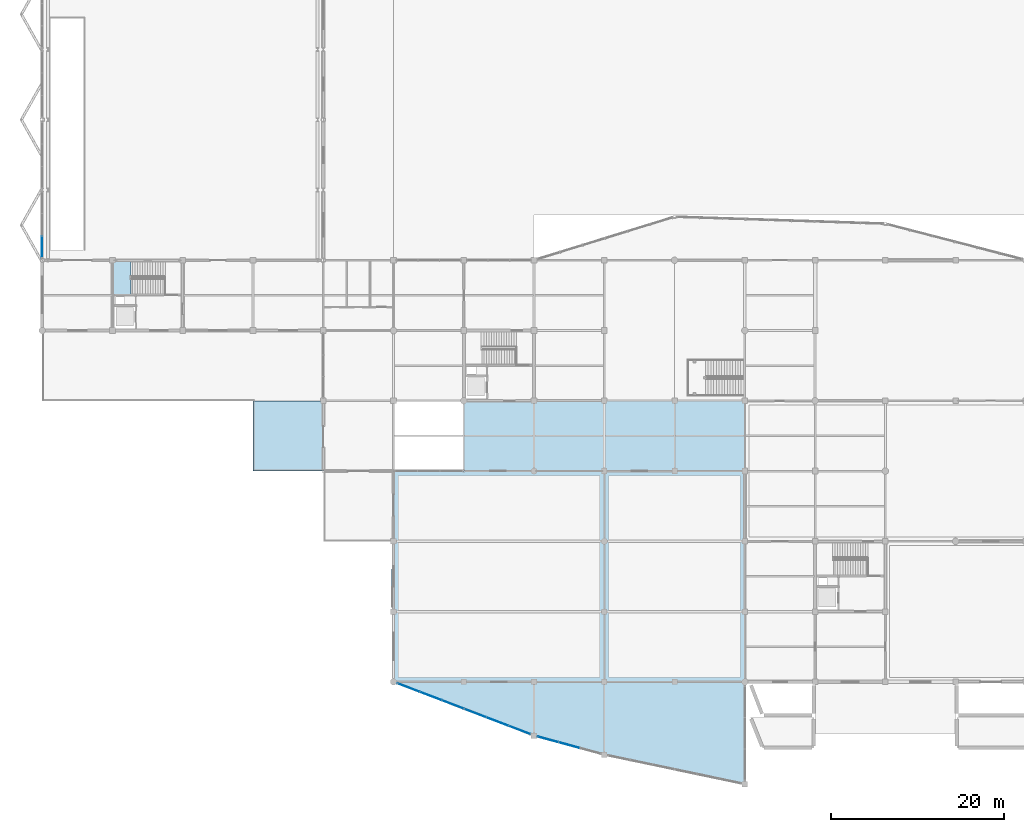
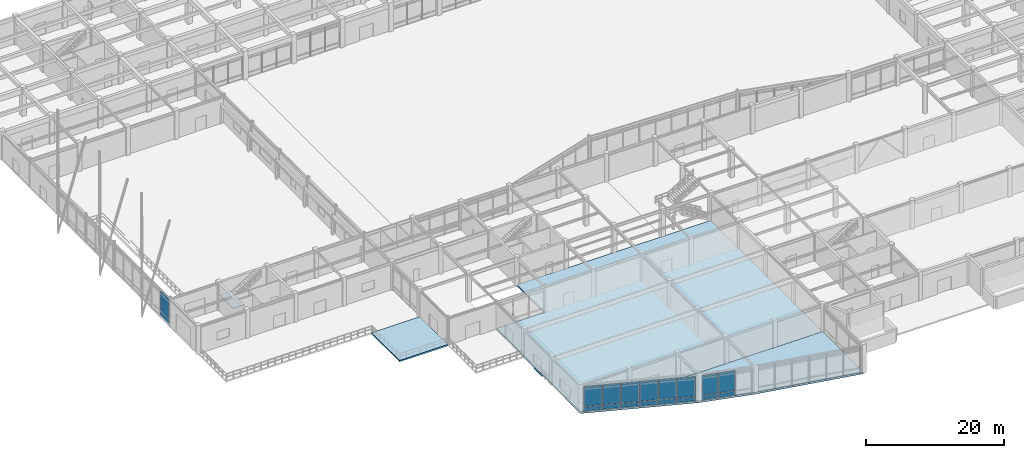
# One storey, part 49 of 99: 18 plates, 5 slabs, 5 elements without a shape of their own.
"""IFC4 building model written with IfcOpenShell, lengths in metres."""

import ifcopenshell
import ifcopenshell.guid

model = None  # the IFC model being written
_history = None  # IfcOwnerHistory: only IFC2X3 demands one
_inside = {}  # id of a spatial element -> (the spatial element, [elements in it])
_under = {}  # id of a project, library or spatial element -> (it, [spatial elements below it])
_declared = {}  # id of a project -> (the project, [libraries it declares])
_typed = {}  # id of a type object -> (the type object, [elements of that type])
_made_of = {}  # id of a material, layer set ... -> (it, [elements and type objects made of it])


def new_model(schema):
    """Start an empty IFC model of exactly this schema.

    Asked for "IFC4X3", IfcOpenShell would pick the latest addendum, in which some entities
    have other attributes; the version numbers below select the first issue.
    IFC2X3 requires an IfcOwnerHistory on every rooted entity: one is made here for all.
    """
    global model, _history
    if schema == "IFC4X3":
        model = ifcopenshell.file(schema_version=(4, 3, 0, 0))
    else:
        model = ifcopenshell.file(schema=schema)
    _inside.clear()
    _under.clear()
    _declared.clear()
    _typed.clear()
    _made_of.clear()
    _history = None
    if model.schema == "IFC2X3":
        org = make("IfcOrganization", Name="unknown")
        user = make(
            "IfcPersonAndOrganization",
            ThePerson=make("IfcPerson", FamilyName="unknown"),
            TheOrganization=org,
        )
        app = make(
            "IfcApplication",
            ApplicationDeveloper=org,
            Version="unknown",
            ApplicationFullName="unknown",
            ApplicationIdentifier="unknown",
        )
        _history = make(
            "IfcOwnerHistory",
            OwningUser=user,
            OwningApplication=app,
            ChangeAction="ADDED",
            CreationDate=0,
        )
    return model


def make(cls, **values):
    """One entity of the class cls with the attributes given. An attribute that is None is left unset."""
    return model.create_entity(
        cls, **{name: value for name, value in values.items() if value is not None}
    )


def rooted(cls, **values):
    """An entity with a GlobalId (a new one), such as an element, a storey or a relation."""
    return make(cls, GlobalId=ifcopenshell.guid.new(), OwnerHistory=_history, **values)


def si_unit(unit_type, name, prefix=None):
    """IfcSIUnit, for example si_unit("LENGTHUNIT", "METRE", prefix="MILLI")."""
    return make("IfcSIUnit", UnitType=unit_type, Prefix=prefix, Name=name)


def assignment(units):
    """IfcUnitAssignment: the units of a project."""
    return None if units is None else make("IfcUnitAssignment", Units=units)


def point(xyz):
    """IfcCartesianPoint."""
    return None if xyz is None else make("IfcCartesianPoint", Coordinates=xyz)


def direction(xyz):
    """IfcDirection."""
    return None if xyz is None else make("IfcDirection", DirectionRatios=xyz)


def frame(location, z_axis=None, x_axis=None):
    """IfcAxis2Placement3D, a coordinate frame: its origin and axes. An axis left out is left unset."""
    return make(
        "IfcAxis2Placement3D",
        Location=point(location),
        Axis=direction(z_axis),
        RefDirection=direction(x_axis),
    )


def frame_2d(location, x_axis=None):
    """IfcAxis2Placement2D, a coordinate frame in the plane: its origin and x axis."""
    return make(
        "IfcAxis2Placement2D", Location=point(location), RefDirection=direction(x_axis)
    )


def origin():
    """The frame at (0, 0, 0) with its axes left unset."""
    return frame((0.0, 0.0, 0.0))


def origin_2d():
    """The frame at (0, 0) in the plane with its x axis left unset."""
    return frame_2d((0.0, 0.0))


def place(relative_to, where):
    """IfcLocalPlacement: puts the frame where relative to a parent placement (None: the world)."""
    return make(
        "IfcLocalPlacement", PlacementRelTo=relative_to, RelativePlacement=where
    )


def context(
    kind, dimensions, precision=None, world=None, true_north=None, identifier=None
):
    """IfcGeometricRepresentationContext, for example the 3D "Model" context."""
    return make(
        "IfcGeometricRepresentationContext",
        ContextIdentifier=identifier,
        ContextType=kind,
        CoordinateSpaceDimension=dimensions,
        Precision=precision,
        WorldCoordinateSystem=world,
        TrueNorth=true_north,
    )


def subcontext(parent, identifier, kind, view, scale=None):
    """IfcGeometricRepresentationSubContext, for example "Body" below "Model"."""
    return make(
        "IfcGeometricRepresentationSubContext",
        ContextIdentifier=identifier,
        ContextType=kind,
        ParentContext=parent,
        TargetScale=scale,
        TargetView=view,
    )


def project(units=None, contexts=None):
    """IfcProject with its units and contexts."""
    return rooted(
        "IfcProject",
        Name="project",
        RepresentationContexts=contexts,
        UnitsInContext=assignment(units),
    )


def spatial(cls, under=None, at=None, **own):
    """A site, building, storey or space (cls), placed at a placement, below another one or the project."""
    s = rooted(cls, ObjectPlacement=at, **own)
    if under is not None:
        _under.setdefault(under.id(), (under, []))[1].append(s)
    return s


def polyline(points):
    """IfcPolyline through the points."""
    return make("IfcPolyline", Points=[point(p) for p in points])


def profile(cls, at=None, kind="AREA", **sizes):
    """A parametric profile (cls). Its sizes go by their IFC names, for example OverallWidth=200.0."""
    return make(cls, ProfileType=kind, Position=at, **sizes)


def rectangle(**sizes):
    """IfcRectangleProfileDef."""
    return profile("IfcRectangleProfileDef", **sizes)


def outline(outer, holes=None, kind="AREA"):
    """IfcArbitraryClosedProfileDef: a profile drawn as a closed curve; with holes, ...WithVoids."""
    if holes is None:
        return make("IfcArbitraryClosedProfileDef", ProfileType=kind, OuterCurve=outer)
    return make(
        "IfcArbitraryProfileDefWithVoids",
        ProfileType=kind,
        OuterCurve=outer,
        InnerCurves=holes,
    )


def extrude(swept, where, along, depth):
    """IfcExtrudedAreaSolid: the profile swept, set in the frame where, extruded along a direction by depth."""
    return make(
        "IfcExtrudedAreaSolid",
        SweptArea=swept,
        Position=where,
        ExtrudedDirection=direction(along),
        Depth=depth,
    )


def shape(context_of_items, identifier, shape_type, items):
    """IfcShapeRepresentation: the items that make up one representation, for example the "Body"."""
    return make(
        "IfcShapeRepresentation",
        ContextOfItems=context_of_items,
        RepresentationIdentifier=identifier,
        RepresentationType=shape_type,
        Items=items,
    )


def material(Name=None, Category=None):
    """IfcMaterial."""
    return make("IfcMaterial", Name=Name, Category=Category)


def layer(
    of_material, thickness, ventilated=None, Name=None, Category=None, Priority=None
):
    """IfcMaterialLayer: one layer of a wall or slab, of a material (None: an air gap)."""
    return make(
        "IfcMaterialLayer",
        Material=of_material,
        LayerThickness=thickness,
        IsVentilated=ventilated,
        Name=Name,
        Category=Category,
        Priority=Priority,
    )


def layer_set(layers, Name=None):
    """IfcMaterialLayerSet."""
    return make("IfcMaterialLayerSet", MaterialLayers=layers, LayerSetName=Name)


def made_of(thing, what):
    """Note that an element or type object is made of a material, layer set ...; save() writes the relation."""
    if what is not None:
        _made_of.setdefault(what.id(), (what, []))[1].append(thing)
    return thing


def type_object(cls, material=None, **own):
    """A type object (cls), such as IfcWallType, which elements share."""
    return made_of(rooted(cls, **own), material)


def element(
    cls,
    number,
    at=None,
    inside=None,
    cuts=None,
    type_object=None,
    material=None,
    context=None,
    identifier="Body",
    shape_type=None,
    held_by="IfcProductDefinitionShape",
    body=None,
    shapes=None,
    **own,
):
    """One element of the class cls, such as IfcWall. Its Tag is "e" and its number.

    at: its placement. inside: the storey or other place that contains it. cuts: it is an
    opening in that element (IfcRelVoidsElement). A single representation is given by context,
    identifier, shape_type and body (its items); several are given by shapes. held_by: the class
    of the entity that holds the representations. save() writes the other relations.
    """
    e = rooted(cls, Tag="e%d" % number, ObjectPlacement=at, **own)
    if body is not None:
        shapes = [shape(context, identifier, shape_type, body)]
    if shapes is not None:
        e.Representation = make(held_by, Representations=shapes)
    if inside is not None:
        _inside.setdefault(inside.id(), (inside, []))[1].append(e)
    if cuts is not None:
        rooted(
            "IfcRelVoidsElement", RelatingBuildingElement=cuts, RelatedOpeningElement=e
        )
    if type_object is not None:
        _typed.setdefault(type_object.id(), (type_object, []))[1].append(e)
    return made_of(e, material)


def aggregate(whole, parts):
    """IfcRelAggregates: a whole, such as a stair, and the parts it consists of."""
    return rooted("IfcRelAggregates", RelatingObject=whole, RelatedObjects=parts)


def save(model, path):
    """Write the relations noted so far, then the file.

    IfcRelAggregates (storeys below a building ...), IfcRelContainedInSpatialStructure (elements
    in a storey), IfcRelDefinesByType, IfcRelAssociatesMaterial and IfcRelDeclares: one each for
    every whole, place, type object, material and project.
    """
    for whole, parts in _under.values():
        aggregate(whole, parts)
    for where, things in _inside.values():
        rooted(
            "IfcRelContainedInSpatialStructure",
            RelatedElements=things,
            RelatingStructure=where,
        )
    for kind, things in _typed.values():
        rooted("IfcRelDefinesByType", RelatedObjects=things, RelatingType=kind)
    for what, things in _made_of.values():
        rooted("IfcRelAssociatesMaterial", RelatedObjects=things, RelatingMaterial=what)
    for by, libraries in _declared.values():
        rooted("IfcRelDeclares", RelatingContext=by, RelatedDefinitions=libraries)
    model.write(path)


model = new_model("IFC4")

# Units and contexts
model_context = context("Model", 3, precision=1e-05, world=origin(), true_north=direction((0.0, 1.0)))
body_context = subcontext(model_context, "Body", "Model", "MODEL_VIEW")
ifc_project = project(units=[si_unit("LENGTHUNIT", "METRE"), si_unit("AREAUNIT", "SQUARE_METRE"), si_unit("VOLUMEUNIT", "CUBIC_METRE"), si_unit("PLANEANGLEUNIT", "RADIAN"), si_unit("MASSUNIT", "GRAM", prefix="KILO")], contexts=[model_context])

# Site, building, storey
site_placement = place(None, origin())
site = spatial("IfcSite", under=ifc_project, at=site_placement, CompositionType="ELEMENT")
building_placement = place(site_placement, origin())
building = spatial("IfcBuilding", under=site, at=building_placement, Name="Vaudrelin Polytechnic", CompositionType="ELEMENT")
storey_placement = place(building_placement, origin())
storey = spatial("IfcBuildingStorey", under=building, at=storey_placement, Name="L00", CompositionType="ELEMENT", Elevation=0.0)

# Curtain wall, plate
ifc_material_1 = material(Name="Thermally broken anodised aluminium AA 6063-T6 and low-e triple glazing", Category="aluminium")
ifc_layer_1 = layer(ifc_material_1, 0.199951171875)
ifc_layer_set_1 = layer_set([ifc_layer_1], Name="Thermally broken anodised aluminium AA 6063-T6 and low-e triple glazing")
curtain_wall_type_1 = type_object("IfcCurtainWallType", Name="CW-CW-POR", PredefinedType="USERDEFINED", material=ifc_layer_set_1)
curtain_wall_1_placement = place(storey_placement, origin())
curtain_wall_1 = element("IfcCurtainWall", 1, at=curtain_wall_1_placement, inside=storey, type_object=curtain_wall_type_1, Name="Curtain wall L00 W_V1_01", ObjectType="CURTAIN WALL", PredefinedType="USERDEFINED")
ifc_material_2 = material(Name="Insulated ceramic-frit spandrel glass panel", Category="glass")
ifc_layer_2 = layer(ifc_material_2, 0.052001953125)
ifc_layer_set_2 = layer_set([ifc_layer_2], Name="Insulated ceramic-frit spandrel glass panel")
plate_type_1 = type_object("IfcPlateType", Name="PLT-GLZ-SPAND", PredefinedType="CURTAIN_PANEL", material=ifc_layer_set_2)
plate_1_placement = place(storey_placement, frame((0.0, 50.130859375, 0.08984375), z_axis=(0.0, 0.0, 1.0), x_axis=(0.0, 1.0, 0.0)))
plate_1 = element("IfcPlate", 2, at=plate_1_placement, type_object=plate_type_1, Name="W_V1_01 spandrel panel 1", PredefinedType="CURTAIN_PANEL", context=body_context, shape_type="SweptSolid", body=[
    extrude(rectangle(XDim=2.457763671875, YDim=0.052001953125, at=origin_2d()), origin(), (0.0, 0.0, 1.0), 0.699951171875),
])

# Curtain wall, plates
ifc_layer_3 = layer(ifc_material_1, 0.199951171875)
ifc_layer_set_3 = layer_set([ifc_layer_3], Name="Thermally broken anodised aluminium AA 6063-T6 and low-e triple glazing")
curtain_wall_type_2 = type_object("IfcCurtainWallType", Name="CW-CW-WG", PredefinedType="USERDEFINED", material=ifc_layer_set_3)
curtain_wall_2_placement = place(storey_placement, origin())
curtain_wall_2 = element("IfcCurtainWall", 3, at=curtain_wall_2_placement, inside=storey, type_object=curtain_wall_type_2, Name="Curtain wall L00 V2P_1_0", ObjectType="CURTAIN WALL", PredefinedType="USERDEFINED")
plate_2_placement = place(storey_placement, frame((42.23291015625, -0.6630859375, 0.08984375), z_axis=(0.0, 0.0, 1.0), x_axis=(0.933937106876, -0.35743737969, 0.0)))
plate_2 = element("IfcPlate", 4, at=plate_2_placement, type_object=plate_type_1, Name="V2P_1_0 spandrel panel 1", PredefinedType="CURTAIN_PANEL", context=body_context, shape_type="SweptSolid", body=[
    extrude(rectangle(XDim=2.6376953125, YDim=0.052001953125, at=origin_2d()), origin(), (0.0, 0.0, 1.0), 0.699951171875),
])
plate_3_placement = place(storey_placement, frame((44.789794921875, -1.6416015625, 0.08984375), z_axis=(0.0, 0.0, 1.0), x_axis=(0.933937106876, -0.35743737969, 0.0)))
plate_3 = element("IfcPlate", 5, at=plate_3_placement, type_object=plate_type_1, Name="V2P_1_0 spandrel panel 2", PredefinedType="CURTAIN_PANEL", context=body_context, shape_type="SweptSolid", body=[
    extrude(rectangle(XDim=2.6376953125, YDim=0.052001953125, at=origin_2d()), origin(), (0.0, 0.0, 1.0), 0.699951171875),
])
plate_4_placement = place(storey_placement, frame((47.3466796875, -2.620361328125, 0.08984375), z_axis=(0.0, 0.0, 1.0), x_axis=(0.933937106876, -0.35743737969, 0.0)))
plate_4 = element("IfcPlate", 6, at=plate_4_placement, type_object=plate_type_1, Name="V2P_1_0 spandrel panel 3", PredefinedType="CURTAIN_PANEL", context=body_context, shape_type="SweptSolid", body=[
    extrude(rectangle(XDim=2.6376953125, YDim=0.052001953125, at=origin_2d()), origin(), (0.0, 0.0, 1.0), 0.699951171875),
])

curtain_wall_3_placement = place(storey_placement, origin())
curtain_wall_3 = element("IfcCurtainWall", 7, at=curtain_wall_3_placement, inside=storey, type_object=curtain_wall_type_2, Name="Curtain wall L00 V2P_1_1", ObjectType="CURTAIN WALL", PredefinedType="USERDEFINED")
plate_5_placement = place(storey_placement, frame((49.9033203125, -3.598876953125, 0.08984375), z_axis=(0.0, 0.0, 1.0), x_axis=(0.933941171322, -0.357426759645, 0.0)))
plate_5 = element("IfcPlate", 8, at=plate_5_placement, type_object=plate_type_1, Name="V2P_1_1 spandrel panel 1", PredefinedType="CURTAIN_PANEL", context=body_context, shape_type="SweptSolid", body=[
    extrude(rectangle(XDim=2.6376953125, YDim=0.052001953125, at=origin_2d()), origin(), (0.0, 0.0, 1.0), 0.699951171875),
])
plate_6_placement = place(storey_placement, frame((52.460205078125, -4.577392578125, 0.08984375), z_axis=(0.0, 0.0, 1.0), x_axis=(0.933941171322, -0.357426759645, 0.0)))
plate_6 = element("IfcPlate", 9, at=plate_6_placement, type_object=plate_type_1, Name="V2P_1_1 spandrel panel 2", PredefinedType="CURTAIN_PANEL", context=body_context, shape_type="SweptSolid", body=[
    extrude(rectangle(XDim=2.6376953125, YDim=0.052001953125, at=origin_2d()), origin(), (0.0, 0.0, 1.0), 0.699951171875),
])
plate_7_placement = place(storey_placement, frame((55.01708984375, -5.555908203125, 0.08984375), z_axis=(0.0, 0.0, 1.0), x_axis=(0.933941171322, -0.357426759645, 0.0)))
plate_7 = element("IfcPlate", 10, at=plate_7_placement, type_object=plate_type_1, Name="V2P_1_1 spandrel panel 3", PredefinedType="CURTAIN_PANEL", context=body_context, shape_type="SweptSolid", body=[
    extrude(rectangle(XDim=2.6376953125, YDim=0.052001953125, at=origin_2d()), origin(), (0.0, 0.0, 1.0), 0.699951171875),
])

curtain_wall_4_placement = place(storey_placement, origin())
curtain_wall_4 = element("IfcCurtainWall", 11, at=curtain_wall_4_placement, inside=storey, type_object=curtain_wall_type_2, Name="Curtain wall L00 V2P_2_0", ObjectType="CURTAIN WALL", PredefinedType="USERDEFINED")
plate_8_placement = place(storey_placement, frame((58.3212890625, -6.640380859375, 0.08984375), z_axis=(0.0, 0.0, 1.0), x_axis=(0.965042039381, -0.26209513965, 0.0)))
plate_8 = element("IfcPlate", 12, at=plate_8_placement, type_object=plate_type_1, Name="V2P_2_0 spandrel panel 1", PredefinedType="CURTAIN_PANEL", context=body_context, shape_type="SweptSolid", body=[
    extrude(rectangle(XDim=2.41650390625, YDim=0.052001953125, at=origin_2d()), origin(), (0.0, 0.0, 1.0), 0.699951171875),
])
plate_9_placement = place(storey_placement, frame((60.75, -7.300048828125, 0.08984375), z_axis=(0.0, 0.0, 1.0), x_axis=(0.965042039381, -0.26209513965, 0.0)))
plate_9 = element("IfcPlate", 13, at=plate_9_placement, type_object=plate_type_1, Name="V2P_2_0 spandrel panel 2", PredefinedType="CURTAIN_PANEL", context=body_context, shape_type="SweptSolid", body=[
    extrude(rectangle(XDim=2.41650390625, YDim=0.052001953125, at=origin_2d()), origin(), (0.0, 0.0, 1.0), 0.699951171875),
])

# Plate
ifc_material_3 = material(Name="Triple low-e argon insulated glazing unit", Category="glass")
ifc_layer_4 = layer(ifc_material_3, 0.0439453125)
ifc_layer_set_4 = layer_set([ifc_layer_4], Name="Triple low-e argon insulated glazing unit")
plate_type_2 = type_object("IfcPlateType", Name="PLT-GLZ-TRIPLE", PredefinedType="CURTAIN_PANEL", material=ifc_layer_set_4)
plate_10_placement = place(storey_placement, frame((0.0, 50.130859375, 0.900146484375), z_axis=(0.0, 0.0, 1.0), x_axis=(0.0, 1.0, 0.0)))
plate_10 = element("IfcPlate", 14, at=plate_10_placement, type_object=plate_type_2, Name="W_V1_01 vision panel 1", PredefinedType="CURTAIN_PANEL", context=body_context, shape_type="SweptSolid", body=[
    extrude(rectangle(XDim=2.457763671875, YDim=0.0439453125, at=origin_2d()), origin(), (0.0, 0.0, 1.0), 3.5048828125),
])

aggregate(curtain_wall_1, [plate_1, plate_10])

plate_11_placement = place(storey_placement, frame((42.23291015625, -0.6630859375, 0.89990234375), z_axis=(0.0, 0.0, 1.0), x_axis=(0.933937106876, -0.35743737969, 0.0)))
plate_11 = element("IfcPlate", 15, at=plate_11_placement, type_object=plate_type_2, Name="V2P_1_0 vision panel 1", PredefinedType="CURTAIN_PANEL", context=body_context, shape_type="SweptSolid", body=[
    extrude(rectangle(XDim=2.6376953125, YDim=0.0439453125, at=origin_2d()), origin(), (0.0, 0.0, 1.0), 3.489990234375),
])

plate_12_placement = place(storey_placement, frame((44.789794921875, -1.6416015625, 0.89990234375), z_axis=(0.0, 0.0, 1.0), x_axis=(0.933937106876, -0.35743737969, 0.0)))
plate_12 = element("IfcPlate", 16, at=plate_12_placement, type_object=plate_type_2, Name="V2P_1_0 vision panel 2", PredefinedType="CURTAIN_PANEL", context=body_context, shape_type="SweptSolid", body=[
    extrude(rectangle(XDim=2.6376953125, YDim=0.0439453125, at=origin_2d()), origin(), (0.0, 0.0, 1.0), 3.489990234375),
])

plate_13_placement = place(storey_placement, frame((47.3466796875, -2.620361328125, 0.89990234375), z_axis=(0.0, 0.0, 1.0), x_axis=(0.933937106876, -0.35743737969, 0.0)))
plate_13 = element("IfcPlate", 17, at=plate_13_placement, type_object=plate_type_2, Name="V2P_1_0 vision panel 3", PredefinedType="CURTAIN_PANEL", context=body_context, shape_type="SweptSolid", body=[
    extrude(rectangle(XDim=2.6376953125, YDim=0.0439453125, at=origin_2d()), origin(), (0.0, 0.0, 1.0), 3.489990234375),
])

aggregate(curtain_wall_2, [plate_2, plate_11, plate_3, plate_12, plate_4, plate_13])

plate_14_placement = place(storey_placement, frame((49.9033203125, -3.598876953125, 0.89990234375), z_axis=(0.0, 0.0, 1.0), x_axis=(0.933941171322, -0.357426759645, 0.0)))
plate_14 = element("IfcPlate", 18, at=plate_14_placement, type_object=plate_type_2, Name="V2P_1_1 vision panel 1", PredefinedType="CURTAIN_PANEL", context=body_context, shape_type="SweptSolid", body=[
    extrude(rectangle(XDim=2.6376953125, YDim=0.0439453125, at=origin_2d()), origin(), (0.0, 0.0, 1.0), 3.489990234375),
])

plate_15_placement = place(storey_placement, frame((52.460205078125, -4.577392578125, 0.89990234375), z_axis=(0.0, 0.0, 1.0), x_axis=(0.933941171322, -0.357426759645, 0.0)))
plate_15 = element("IfcPlate", 19, at=plate_15_placement, type_object=plate_type_2, Name="V2P_1_1 vision panel 2", PredefinedType="CURTAIN_PANEL", context=body_context, shape_type="SweptSolid", body=[
    extrude(rectangle(XDim=2.6376953125, YDim=0.0439453125, at=origin_2d()), origin(), (0.0, 0.0, 1.0), 3.489990234375),
])

plate_16_placement = place(storey_placement, frame((55.01708984375, -5.555908203125, 0.89990234375), z_axis=(0.0, 0.0, 1.0), x_axis=(0.933941171322, -0.357426759645, 0.0)))
plate_16 = element("IfcPlate", 20, at=plate_16_placement, type_object=plate_type_2, Name="V2P_1_1 vision panel 3", PredefinedType="CURTAIN_PANEL", context=body_context, shape_type="SweptSolid", body=[
    extrude(rectangle(XDim=2.6376953125, YDim=0.0439453125, at=origin_2d()), origin(), (0.0, 0.0, 1.0), 3.489990234375),
])

aggregate(curtain_wall_3, [plate_5, plate_14, plate_6, plate_15, plate_7, plate_16])

plate_17_placement = place(storey_placement, frame((58.3212890625, -6.640380859375, 0.89990234375), z_axis=(0.0, 0.0, 1.0), x_axis=(0.965042039381, -0.26209513965, 0.0)))
plate_17 = element("IfcPlate", 21, at=plate_17_placement, type_object=plate_type_2, Name="V2P_2_0 vision panel 1", PredefinedType="CURTAIN_PANEL", context=body_context, shape_type="SweptSolid", body=[
    extrude(rectangle(XDim=2.41650390625, YDim=0.0439453125, at=origin_2d()), origin(), (0.0, 0.0, 1.0), 3.489990234375),
])

plate_18_placement = place(storey_placement, frame((60.75, -7.300048828125, 0.89990234375), z_axis=(0.0, 0.0, 1.0), x_axis=(0.965042039381, -0.26209513965, 0.0)))
plate_18 = element("IfcPlate", 22, at=plate_18_placement, type_object=plate_type_2, Name="V2P_2_0 vision panel 2", PredefinedType="CURTAIN_PANEL", context=body_context, shape_type="SweptSolid", body=[
    extrude(rectangle(XDim=2.41650390625, YDim=0.0439453125, at=origin_2d()), origin(), (0.0, 0.0, 1.0), 3.489990234375),
])

aggregate(curtain_wall_4, [plate_8, plate_17, plate_9, plate_18])

# Stair, slab
ifc_material_4 = material(Name="Concrete 35 MPa", Category="concrete")
stair_type = type_object("IfcStairType", Name="STR-ST-CORE", PredefinedType="TWO_STRAIGHT_RUN_STAIR", material=ifc_material_4)
stair_placement = place(storey_placement, origin())
stair = element("IfcStair", 23, at=stair_placement, inside=storey, type_object=stair_type, Name="Exit stair ST-03-L00", PredefinedType="TWO_STRAIGHT_RUN_STAIR")
ifc_layer_5 = layer(ifc_material_4, 0.219970703125)
ifc_layer_set_5 = layer_set([ifc_layer_5], Name="Concrete 35 MPa")
slab_type_1 = type_object("IfcSlabType", Name="SLB-LND220", PredefinedType="LANDING", material=ifc_layer_set_5)
slab_1_placement = place(storey_placement, frame((0.0, 0.0, 2.330078125)))
slab_1 = element("IfcSlab", 24, at=slab_1_placement, type_object=slab_type_1, Name="ST-03-L00 landing 1", PredefinedType="LANDING", context=body_context, shape_type="SweptSolid", body=[
    extrude(outline(polyline([(8.239990234375, 44.659912109375), (10.2099609375, 44.659912109375), (10.2099609375, 48.5), (8.239990234375, 48.5), (8.239990234375, 44.659912109375)])), origin(), (0.0, 0.0, 1.0), 0.219970703125),
])
aggregate(stair, [slab_1])

# Slabs
slab_2_placement = place(storey_placement, frame((0.0, 0.0, -0.219970703125)))
element("IfcSlab", 25, at=slab_2_placement, inside=storey, type_object=slab_type_1, Name="Forecourt stair L00 arrival threshold", PredefinedType="LANDING", context=body_context, shape_type="SweptSolid", body=[
    extrude(outline(polyline([(40.260009765625, 10.699951171875), (40.5, 10.699951171875), (40.5, 13.0), (40.260009765625, 13.0), (40.260009765625, 10.699951171875)])), origin(), (0.0, 0.0, 1.0), 0.219970703125),
])
ifc_layer_6 = layer(ifc_material_4, 0.320068359375)
ifc_layer_set_6 = layer_set([ifc_layer_6], Name="Concrete 35 MPa")
slab_type_2 = type_object("IfcSlabType", Name="SLB-SL-F320", PredefinedType="FLOOR", material=ifc_layer_set_6)
slab_3_placement = place(storey_placement, frame((0.0, 0.0, -0.320068359375)))
element("IfcSlab", 26, at=slab_3_placement, inside=storey, type_object=slab_type_2, Name="L00 floor slab V2-WEDGE", PredefinedType="FLOOR", context=body_context, shape_type="SweptSolid", body=[
    extrude(outline(polyline([(40.5, 0.0), (81.0, 0.0), (81.0, 32.39990234375), (48.60009765625, 32.39990234375), (48.60009765625, 24.300048828125), (40.5, 24.300048828125), (40.5, 0.0)])), origin(), (0.0, 0.0, 1.0), 0.320068359375),
])
slab_4_placement = place(storey_placement, frame((0.0, 0.0, -0.320068359375)))
element("IfcSlab", 27, at=slab_4_placement, inside=storey, type_object=slab_type_2, Name="Lecture wedge oblique prow slab L00", PredefinedType="FLOOR", context=body_context, shape_type="SweptSolid", body=[
    extrude(outline(polyline([(40.5, 0.0), (56.699951171875, -6.199951171875), (64.800048828125, -8.39990234375), (81.0, -11.800048828125), (81.0, 0.0), (40.5, 0.0)])), origin(), (0.0, 0.0, 1.0), 0.320068359375),
])
ifc_layer_7 = layer(ifc_material_4, 0.2548828125)
ifc_layer_set_7 = layer_set([ifc_layer_7], Name="Concrete 35 MPa")
slab_type_3 = type_object("IfcSlabType", Name="SLB-SL-PLZ200", PredefinedType="FLOOR", material=ifc_layer_set_7)
slab_5_placement = place(storey_placement, frame((0.0, 0.0, -0.2548828125)))
element("IfcSlab", 28, at=slab_5_placement, inside=storey, type_object=slab_type_3, Name="L00 plaza slab AP-PORCH-W", PredefinedType="FLOOR", context=body_context, shape_type="SweptSolid", body=[
    extrude(outline(polyline([(24.300048828125, 24.300048828125), (32.39990234375, 24.300048828125), (32.39990234375, 32.39990234375), (24.300048828125, 32.39990234375), (24.300048828125, 24.300048828125)])), origin(), (0.0, 0.0, 1.0), 0.2548828125),
])

save(model, "model.ifc")
